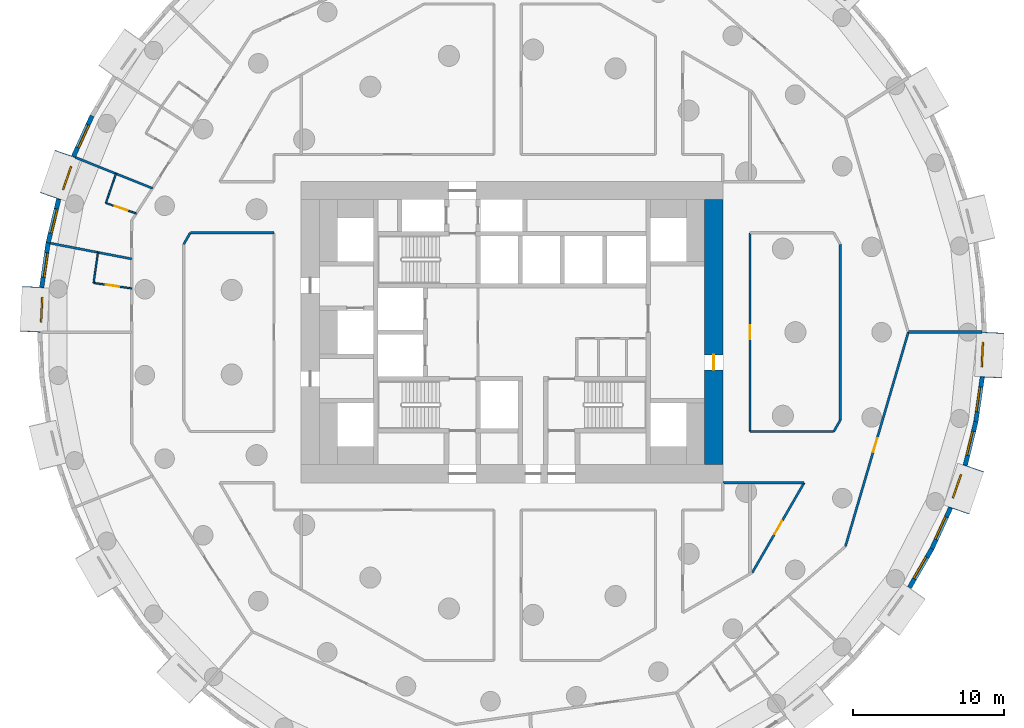
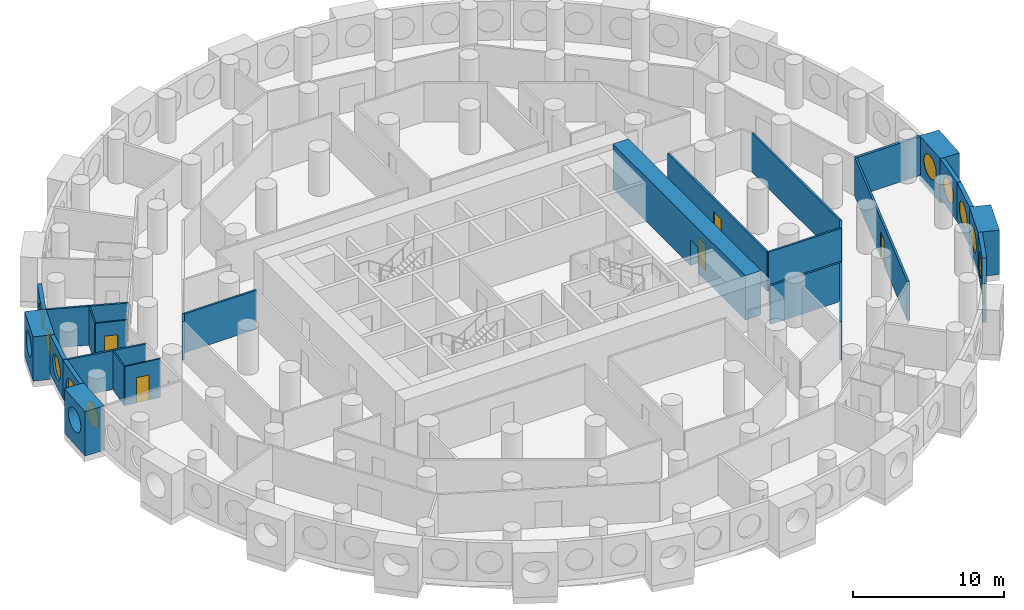
# One storey, part 6 of 11: 28 walls, 11 windows, 6 doors, 17 openings.
"""IFC4 building model written with IfcOpenShell, lengths in metres."""

from ifc_helpers import new_model, si_unit, direction, frame, frame_2d, origin, origin_2d, place, context, subcontext, project, spatial, rectangle, circle, extrude, material, layer, layer_set, type_object, element, fill, save


model = new_model("IFC4")

# Units and contexts
model_context = context("Model", 3, precision=1e-05, world=origin(), true_north=direction((0.0, 1.0)))
body_context = subcontext(model_context, "Body", "Model", "MODEL_VIEW")
ifc_project = project(units=[si_unit("LENGTHUNIT", "METRE"), si_unit("AREAUNIT", "SQUARE_METRE"), si_unit("VOLUMEUNIT", "CUBIC_METRE"), si_unit("PLANEANGLEUNIT", "RADIAN"), si_unit("MASSUNIT", "GRAM", prefix="KILO")], contexts=[model_context])

# Site, building, storey
site_placement = place(None, origin())
site = spatial("IfcSite", under=ifc_project, at=site_placement, CompositionType="ELEMENT")
building_placement = place(site_placement, origin())
building = spatial("IfcBuilding", under=site, at=building_placement, Name="Tracery Tower", CompositionType="ELEMENT")
storey_placement = place(building_placement, frame((0.0, 0.0, 64.199951171875)))
storey = spatial("IfcBuildingStorey", under=building, at=storey_placement, Name="L15", CompositionType="ELEMENT", Elevation=64.199951171875)

# Wall, opening, door
ifc_material_1 = material(Name="Concrete C60/75", Category="concrete")
ifc_layer_1 = layer(ifc_material_1, 1.199951171875)
ifc_layer_set_1 = layer_set([ifc_layer_1], Name="Core wall 1200 C60")
wall_type_1 = type_object("IfcWallType", Name="Core wall 1200 C60", PredefinedType="SOLIDWALL", material=ifc_layer_set_1)
wall_1_placement = place(storey_placement, frame((13.39990234375, -8.800048828125, 0.0), z_axis=(0.0, 0.0, 1.0), x_axis=(0.0, 1.0, 0.0)))
wall_1 = element("IfcWall", 1, at=wall_1_placement, inside=storey, type_object=wall_type_1, Name="L15 outer E", PredefinedType="SOLIDWALL", context=body_context, shape_type="SweptSolid", body=[
    extrude(rectangle(XDim=17.60009765625, YDim=1.199951171875, at=frame_2d((8.800048828125, 0.0))), origin(), (0.0, 0.0, 1.0), 3.60009765625),
])
opening_1_placement = place(wall_1_placement, frame((6.300048828125, 0.0, 0.0)))
opening_1 = element("IfcOpeningElement", 2, at=opening_1_placement, cuts=wall_1, Name="Opening KD18", PredefinedType="OPENING", context=body_context, shape_type="SweptSolid", body=[
    extrude(rectangle(XDim=1.0, YDim=2.10009765625, at=frame_2d((0.5, 1.050048828125))), frame((0.0, 0.60009765625, 0.0), z_axis=(0.0, -1.0, 0.0), x_axis=(1.0, 0.0, 0.0)), (0.0, 0.0, 1.0), 1.199951171875),
])
ifc_material_2 = material(Name="Steel fire door", Category="steel")
door_type_1 = type_object("IfcDoorType", Name="Core exit door 1000", OperationType="NOTDEFINED", PredefinedType="DOOR", material=ifc_material_2)
door_1_placement = place(opening_1_placement, origin())
door_1 = element("IfcDoor", 3, at=door_1_placement, inside=storey, type_object=door_type_1, Name="Core exit door", OperationType="DOUBLE_DOOR_SINGLE_SWING", OverallHeight=2.10009765625, OverallWidth=1.0, PredefinedType="DOOR", context=body_context, shape_type="SweptSolid", body=[
    extrude(rectangle(XDim=1.0, YDim=2.10009765625, at=frame_2d((0.5, 1.050048828125))), frame((0.0, 0.02490234375, 0.0), z_axis=(0.0, -1.0, 0.0), x_axis=(1.0, 0.0, 0.0)), (0.0, 0.0, 1.0), 0.050048828125),
])
fill(opening_1, door_1)

# Wall, opening, window
ifc_material_3 = material(Name="Precast concrete C50/60", Category="concrete")
ifc_layer_2 = layer(ifc_material_3, 1.449951171875)
ifc_layer_set_2 = layer_set([ifc_layer_2], Name="Deep-set bay unit 3000 x 3600, slab edge 450")
wall_type_2 = type_object("IfcWallType", Name="Deep-set bay unit 3000 x 3600, slab edge 450", PredefinedType="ELEMENTEDWALL", material=ifc_layer_set_2)
wall_2_placement = place(storey_placement, frame((-29.66796875, 11.85546875, -0.449951171875), z_axis=(0.0, 0.0, 1.0), x_axis=(-0.327071431777, -0.944999618262, 0.0)))
wall_2 = element("IfcWall", 4, at=wall_2_placement, inside=storey, type_object=wall_type_2, Name="Deep-set bay unit 30 at L15", PredefinedType="ELEMENTEDWALL", context=body_context, shape_type="SweptSolid", body=[
    extrude(rectangle(XDim=3.0, YDim=1.449951171875, at=frame_2d((1.5, 0.0))), origin(), (0.0, 0.0, 1.0), 3.60009765625),
])
opening_2_placement = place(wall_2_placement, frame((1.5, 0.0, 2.0)))
opening_2 = element("IfcOpeningElement", 5, at=opening_2_placement, cuts=wall_2, Name="Opening WN1", PredefinedType="OPENING", context=body_context, shape_type="SweptSolid", body=[
    extrude(circle(Radius=0.9000244140625, at=origin_2d()), frame((0.0, 0.73486328125, 0.0), z_axis=(0.0, -1.0, 0.0), x_axis=(1.0, 0.0, 0.0)), (0.0, 0.0, 1.0), 1.469970703125),
])
ifc_material_4 = material(Name="Aluminium frame with tinted double glazing", Category="aluminium")
window_type = type_object("IfcWindowType", Name="Round window 1800", PartitioningType="SINGLE_PANEL", PredefinedType="WINDOW", material=ifc_material_4)
window_1_placement = place(opening_2_placement, origin())
window_1 = element("IfcWindow", 6, at=window_1_placement, inside=storey, type_object=window_type, Name="Round window 30 at L15", OverallHeight=1.800048828125, OverallWidth=1.800048828125, PartitioningType="SINGLE_PANEL", PredefinedType="WINDOW", context=body_context, shape_type="SweptSolid", body=[
    extrude(circle(Radius=0.9000244140625, at=origin_2d()), frame((0.0, 0.69482421875, 0.0), z_axis=(0.0, -1.0, 0.0), x_axis=(1.0, 0.0, 0.0)), (0.0, 0.0, 1.0), 0.10009765625),
])
fill(opening_2, window_1)

wall_3_placement = place(storey_placement, frame((-31.806396484375, 3.016845703125, -0.449951171875), z_axis=(0.0, 0.0, 1.0), x_axis=(-0.047607680889, -0.998866111509, 0.0)))
wall_3 = element("IfcWall", 7, at=wall_3_placement, inside=storey, type_object=wall_type_2, Name="Deep-set bay unit 33 at L15", PredefinedType="ELEMENTEDWALL", context=body_context, shape_type="SweptSolid", body=[
    extrude(rectangle(XDim=3.0, YDim=1.449951171875, at=frame_2d((1.5, 0.0))), origin(), (0.0, 0.0, 1.0), 3.60009765625),
])
opening_3_placement = place(wall_3_placement, frame((1.5, 0.0, 2.0)))
opening_3 = element("IfcOpeningElement", 8, at=opening_3_placement, cuts=wall_3, Name="Opening WN1", PredefinedType="OPENING", context=body_context, shape_type="SweptSolid", body=[
    extrude(circle(Radius=0.9000244140625, at=origin_2d()), frame((0.0, 0.73486328125, 0.0), z_axis=(0.0, -1.0, 0.0), x_axis=(1.0, 0.0, 0.0)), (0.0, 0.0, 1.0), 1.469970703125),
])
window_2_placement = place(opening_3_placement, origin())
window_2 = element("IfcWindow", 9, at=window_2_placement, inside=storey, type_object=window_type, Name="Round window 33 at L15", OverallHeight=1.800048828125, OverallWidth=1.800048828125, PartitioningType="SINGLE_PANEL", PredefinedType="WINDOW", context=body_context, shape_type="SweptSolid", body=[
    extrude(circle(Radius=0.9000244140625, at=origin_2d()), frame((0.0, 0.69482421875, 0.0), z_axis=(0.0, -1.0, 0.0), x_axis=(1.0, 0.0, 0.0)), (0.0, 0.0, 1.0), 0.10009765625),
])
fill(opening_3, window_2)

wall_4_placement = place(storey_placement, frame((29.66796875, -11.85546875, -0.449951171875), z_axis=(0.0, 0.0, 1.0), x_axis=(0.327071431777, 0.944999618262, 0.0)))
wall_4 = element("IfcWall", 10, at=wall_4_placement, inside=storey, type_object=wall_type_2, Name="Deep-set bay unit 63 at L15", PredefinedType="ELEMENTEDWALL", context=body_context, shape_type="SweptSolid", body=[
    extrude(rectangle(XDim=3.0, YDim=1.449951171875, at=frame_2d((1.5, 0.0))), origin(), (0.0, 0.0, 1.0), 3.60009765625),
])
opening_4_placement = place(wall_4_placement, frame((1.5, 0.0, 2.0)))
opening_4 = element("IfcOpeningElement", 11, at=opening_4_placement, cuts=wall_4, Name="Opening WN1", PredefinedType="OPENING", context=body_context, shape_type="SweptSolid", body=[
    extrude(circle(Radius=0.9000244140625, at=origin_2d()), frame((0.0, 0.73486328125, 0.0), z_axis=(0.0, -1.0, 0.0), x_axis=(1.0, 0.0, 0.0)), (0.0, 0.0, 1.0), 1.469970703125),
])
window_3_placement = place(opening_4_placement, origin())
window_3 = element("IfcWindow", 12, at=window_3_placement, inside=storey, type_object=window_type, Name="Round window 63 at L15", OverallHeight=1.800048828125, OverallWidth=1.800048828125, PartitioningType="SINGLE_PANEL", PredefinedType="WINDOW", context=body_context, shape_type="SweptSolid", body=[
    extrude(circle(Radius=0.9000244140625, at=origin_2d()), frame((0.0, 0.69482421875, 0.0), z_axis=(0.0, -1.0, 0.0), x_axis=(1.0, 0.0, 0.0)), (0.0, 0.0, 1.0), 0.10009765625),
])
fill(opening_4, window_3)

wall_5_placement = place(storey_placement, frame((31.806396484375, -3.016845703125, -0.449951171875), z_axis=(0.0, 0.0, 1.0), x_axis=(0.047607680889, 0.998866111509, 0.0)))
wall_5 = element("IfcWall", 13, at=wall_5_placement, inside=storey, type_object=wall_type_2, Name="Deep-set bay unit 66 at L15", PredefinedType="ELEMENTEDWALL", context=body_context, shape_type="SweptSolid", body=[
    extrude(rectangle(XDim=3.0, YDim=1.449951171875, at=frame_2d((1.5, 0.0))), origin(), (0.0, 0.0, 1.0), 3.60009765625),
])
opening_5_placement = place(wall_5_placement, frame((1.5, 0.0, 2.0)))
opening_5 = element("IfcOpeningElement", 14, at=opening_5_placement, cuts=wall_5, Name="Opening WN1", PredefinedType="OPENING", context=body_context, shape_type="SweptSolid", body=[
    extrude(circle(Radius=0.9000244140625, at=origin_2d()), frame((0.0, 0.73486328125, 0.0), z_axis=(0.0, -1.0, 0.0), x_axis=(1.0, 0.0, 0.0)), (0.0, 0.0, 1.0), 1.469970703125),
])
window_4_placement = place(opening_5_placement, origin())
window_4 = element("IfcWindow", 15, at=window_4_placement, inside=storey, type_object=window_type, Name="Round window 66 at L15", OverallHeight=1.800048828125, OverallWidth=1.800048828125, PartitioningType="SINGLE_PANEL", PredefinedType="WINDOW", context=body_context, shape_type="SweptSolid", body=[
    extrude(circle(Radius=0.9000244140625, at=origin_2d()), frame((0.0, 0.69482421875, 0.0), z_axis=(0.0, -1.0, 0.0), x_axis=(1.0, 0.0, 0.0)), (0.0, 0.0, 1.0), 0.10009765625),
])
fill(opening_5, window_4)

ifc_material_5 = material(Name="Precast concrete C50/60", Category="concrete")
ifc_layer_3 = layer(ifc_material_5, 0.300048828125)
ifc_layer_set_3 = layer_set([ifc_layer_3], Name="Facade panel 3000 x 3150")
wall_type_3 = type_object("IfcWallType", Name="Facade panel 3000 x 3150", PredefinedType="SOLIDWALL", material=ifc_layer_set_3)
wall_6_placement = place(storey_placement, frame((-27.88671875, 14.376708984375, 0.0), z_axis=(0.0, 0.0, 1.0), x_axis=(-0.415407317162, -0.909635509888, 0.0)))
wall_6 = element("IfcWall", 16, at=wall_6_placement, inside=storey, type_object=wall_type_3, Name="Facade panel 29 at L15", PredefinedType="SOLIDWALL", context=body_context, shape_type="SweptSolid", body=[
    extrude(rectangle(XDim=2.979736328125, YDim=0.300048828125, at=frame_2d((1.48974609375, 0.0))), origin(), (0.0, 0.0, 1.0), 3.150146484375),
])
opening_6_placement = place(wall_6_placement, frame((1.48974609375, 0.0, 1.5498046875)))
opening_6 = element("IfcOpeningElement", 17, at=opening_6_placement, cuts=wall_6, Name="Opening WN1", PredefinedType="OPENING", context=body_context, shape_type="SweptSolid", body=[
    extrude(circle(Radius=0.9000244140625, at=origin_2d()), frame((0.0, 0.159912109375, 0.0), z_axis=(0.0, -1.0, 0.0), x_axis=(1.0, 0.0, 0.0)), (0.0, 0.0, 1.0), 0.320068359375),
])
window_5_placement = place(opening_6_placement, origin())
window_5 = element("IfcWindow", 18, at=window_5_placement, inside=storey, type_object=window_type, Name="Round window 29 at L15", OverallHeight=1.800048828125, OverallWidth=1.800048828125, PartitioningType="SINGLE_PANEL", PredefinedType="WINDOW", context=body_context, shape_type="SweptSolid", body=[
    extrude(circle(Radius=0.9000244140625, at=origin_2d()), frame((0.0, 0.1201171875, 0.0), z_axis=(0.0, -1.0, 0.0), x_axis=(1.0, 0.0, 0.0)), (0.0, 0.0, 1.0), 0.10009765625),
])
fill(opening_6, window_5)

wall_7_placement = place(storey_placement, frame((-30.10498046875, 8.833251953125, 0.0), z_axis=(0.0, 0.0, 1.0), x_axis=(-0.235743081534, -0.971815414319, 0.0)))
wall_7 = element("IfcWall", 19, at=wall_7_placement, inside=storey, type_object=wall_type_3, Name="Facade panel 31 at L15", PredefinedType="SOLIDWALL", context=body_context, shape_type="SweptSolid", body=[
    extrude(rectangle(XDim=2.9794921875, YDim=0.300048828125, at=frame_2d((1.48974609375, 0.0))), origin(), (0.0, 0.0, 1.0), 3.150146484375),
])
opening_7_placement = place(wall_7_placement, frame((1.48974609375, 0.0, 1.5498046875)))
opening_7 = element("IfcOpeningElement", 20, at=opening_7_placement, cuts=wall_7, Name="Opening WN1", PredefinedType="OPENING", context=body_context, shape_type="SweptSolid", body=[
    extrude(circle(Radius=0.9000244140625, at=origin_2d()), frame((0.0, 0.159912109375, 0.0), z_axis=(0.0, -1.0, 0.0), x_axis=(1.0, 0.0, 0.0)), (0.0, 0.0, 1.0), 0.320068359375),
])
window_6_placement = place(opening_7_placement, origin())
window_6 = element("IfcWindow", 21, at=window_6_placement, inside=storey, type_object=window_type, Name="Round window 31 at L15", OverallHeight=1.800048828125, OverallWidth=1.800048828125, PartitioningType="SINGLE_PANEL", PredefinedType="WINDOW", context=body_context, shape_type="SweptSolid", body=[
    extrude(circle(Radius=0.9000244140625, at=origin_2d()), frame((0.0, 0.1201171875, 0.0), z_axis=(0.0, -1.0, 0.0), x_axis=(1.0, 0.0, 0.0)), (0.0, 0.0, 1.0), 0.10009765625),
])
fill(opening_7, window_6)

wall_8_placement = place(storey_placement, frame((-30.807373046875, 5.937744140625, 0.0), z_axis=(0.0, 0.0, 1.0), x_axis=(-0.142315996627, -0.989821275334, 0.0)))
wall_8 = element("IfcWall", 22, at=wall_8_placement, inside=storey, type_object=wall_type_3, Name="Facade panel 32 at L15", PredefinedType="SOLIDWALL", context=body_context, shape_type="SweptSolid", body=[
    extrude(rectangle(XDim=2.979736328125, YDim=0.300048828125, at=frame_2d((1.48974609375, 0.0))), origin(), (0.0, 0.0, 1.0), 3.150146484375),
])
opening_8_placement = place(wall_8_placement, frame((1.48974609375, 0.0, 1.5498046875)))
opening_8 = element("IfcOpeningElement", 23, at=opening_8_placement, cuts=wall_8, Name="Opening WN1", PredefinedType="OPENING", context=body_context, shape_type="SweptSolid", body=[
    extrude(circle(Radius=0.9000244140625, at=origin_2d()), frame((0.0, 0.159912109375, 0.0), z_axis=(0.0, -1.0, 0.0), x_axis=(1.0, 0.0, 0.0)), (0.0, 0.0, 1.0), 0.320068359375),
])
window_7_placement = place(opening_8_placement, origin())
window_7 = element("IfcWindow", 24, at=window_7_placement, inside=storey, type_object=window_type, Name="Round window 32 at L15", OverallHeight=1.800048828125, OverallWidth=1.800048828125, PartitioningType="SINGLE_PANEL", PredefinedType="WINDOW", context=body_context, shape_type="SweptSolid", body=[
    extrude(circle(Radius=0.9000244140625, at=origin_2d()), frame((0.0, 0.1201171875, 0.0), z_axis=(0.0, -1.0, 0.0), x_axis=(1.0, 0.0, 0.0)), (0.0, 0.0, 1.0), 0.10009765625),
])
fill(opening_8, window_7)

wall_9_placement = place(storey_placement, frame((26.39697265625, -16.95703125, 0.0), z_axis=(0.0, 0.0, 1.0), x_axis=(0.499999078476, 0.866025935826, 0.0)))
wall_9 = element("IfcWall", 25, at=wall_9_placement, inside=storey, type_object=wall_type_3, Name="Facade panel 61 at L15", PredefinedType="SOLIDWALL", context=body_context, shape_type="SweptSolid", body=[
    extrude(rectangle(XDim=2.9794921875, YDim=0.300048828125, at=frame_2d((1.48974609375, 0.0))), origin(), (0.0, 0.0, 1.0), 3.150146484375),
])
opening_9_placement = place(wall_9_placement, frame((1.48974609375, 0.0, 1.5498046875)))
opening_9 = element("IfcOpeningElement", 26, at=opening_9_placement, cuts=wall_9, Name="Opening WN1", PredefinedType="OPENING", context=body_context, shape_type="SweptSolid", body=[
    extrude(circle(Radius=0.9000244140625, at=origin_2d()), frame((0.0, 0.159912109375, 0.0), z_axis=(0.0, -1.0, 0.0), x_axis=(1.0, 0.0, 0.0)), (0.0, 0.0, 1.0), 0.320068359375),
])
window_8_placement = place(opening_9_placement, origin())
window_8 = element("IfcWindow", 27, at=window_8_placement, inside=storey, type_object=window_type, Name="Round window 61 at L15", OverallHeight=1.800048828125, OverallWidth=1.800048828125, PartitioningType="SINGLE_PANEL", PredefinedType="WINDOW", context=body_context, shape_type="SweptSolid", body=[
    extrude(circle(Radius=0.9000244140625, at=origin_2d()), frame((0.0, 0.1201171875, 0.0), z_axis=(0.0, -1.0, 0.0), x_axis=(1.0, 0.0, 0.0)), (0.0, 0.0, 1.0), 0.10009765625),
])
fill(opening_9, window_8)

wall_10_placement = place(storey_placement, frame((27.88671875, -14.376708984375, 0.0), z_axis=(0.0, 0.0, 1.0), x_axis=(0.415407317162, 0.909635509888, 0.0)))
wall_10 = element("IfcWall", 28, at=wall_10_placement, inside=storey, type_object=wall_type_3, Name="Facade panel 62 at L15", PredefinedType="SOLIDWALL", context=body_context, shape_type="SweptSolid", body=[
    extrude(rectangle(XDim=2.979736328125, YDim=0.300048828125, at=frame_2d((1.48974609375, 0.0))), origin(), (0.0, 0.0, 1.0), 3.150146484375),
])
opening_10_placement = place(wall_10_placement, frame((1.48974609375, 0.0, 1.5498046875)))
opening_10 = element("IfcOpeningElement", 29, at=opening_10_placement, cuts=wall_10, Name="Opening WN1", PredefinedType="OPENING", context=body_context, shape_type="SweptSolid", body=[
    extrude(circle(Radius=0.9000244140625, at=origin_2d()), frame((0.0, 0.159912109375, 0.0), z_axis=(0.0, -1.0, 0.0), x_axis=(1.0, 0.0, 0.0)), (0.0, 0.0, 1.0), 0.320068359375),
])
window_9_placement = place(opening_10_placement, origin())
window_9 = element("IfcWindow", 30, at=window_9_placement, inside=storey, type_object=window_type, Name="Round window 62 at L15", OverallHeight=1.800048828125, OverallWidth=1.800048828125, PartitioningType="SINGLE_PANEL", PredefinedType="WINDOW", context=body_context, shape_type="SweptSolid", body=[
    extrude(circle(Radius=0.9000244140625, at=origin_2d()), frame((0.0, 0.1201171875, 0.0), z_axis=(0.0, -1.0, 0.0), x_axis=(1.0, 0.0, 0.0)), (0.0, 0.0, 1.0), 0.10009765625),
])
fill(opening_10, window_9)

wall_11_placement = place(storey_placement, frame((30.10498046875, -8.833251953125, 0.0), z_axis=(0.0, 0.0, 1.0), x_axis=(0.235743081534, 0.971815414319, 0.0)))
wall_11 = element("IfcWall", 31, at=wall_11_placement, inside=storey, type_object=wall_type_3, Name="Facade panel 64 at L15", PredefinedType="SOLIDWALL", context=body_context, shape_type="SweptSolid", body=[
    extrude(rectangle(XDim=2.9794921875, YDim=0.300048828125, at=frame_2d((1.48974609375, 0.0))), origin(), (0.0, 0.0, 1.0), 3.150146484375),
])
opening_11_placement = place(wall_11_placement, frame((1.48974609375, 0.0, 1.5498046875)))
opening_11 = element("IfcOpeningElement", 32, at=opening_11_placement, cuts=wall_11, Name="Opening WN1", PredefinedType="OPENING", context=body_context, shape_type="SweptSolid", body=[
    extrude(circle(Radius=0.9000244140625, at=origin_2d()), frame((0.0, 0.159912109375, 0.0), z_axis=(0.0, -1.0, 0.0), x_axis=(1.0, 0.0, 0.0)), (0.0, 0.0, 1.0), 0.320068359375),
])
window_10_placement = place(opening_11_placement, origin())
window_10 = element("IfcWindow", 33, at=window_10_placement, inside=storey, type_object=window_type, Name="Round window 64 at L15", OverallHeight=1.800048828125, OverallWidth=1.800048828125, PartitioningType="SINGLE_PANEL", PredefinedType="WINDOW", context=body_context, shape_type="SweptSolid", body=[
    extrude(circle(Radius=0.9000244140625, at=origin_2d()), frame((0.0, 0.1201171875, 0.0), z_axis=(0.0, -1.0, 0.0), x_axis=(1.0, 0.0, 0.0)), (0.0, 0.0, 1.0), 0.10009765625),
])
fill(opening_11, window_10)

wall_12_placement = place(storey_placement, frame((30.807373046875, -5.937744140625, 0.0), z_axis=(0.0, 0.0, 1.0), x_axis=(0.142315996627, 0.989821275334, 0.0)))
wall_12 = element("IfcWall", 34, at=wall_12_placement, inside=storey, type_object=wall_type_3, Name="Facade panel 65 at L15", PredefinedType="SOLIDWALL", context=body_context, shape_type="SweptSolid", body=[
    extrude(rectangle(XDim=2.979736328125, YDim=0.300048828125, at=frame_2d((1.48974609375, 0.0))), origin(), (0.0, 0.0, 1.0), 3.150146484375),
])
opening_12_placement = place(wall_12_placement, frame((1.48974609375, 0.0, 1.5498046875)))
opening_12 = element("IfcOpeningElement", 35, at=opening_12_placement, cuts=wall_12, Name="Opening WN1", PredefinedType="OPENING", context=body_context, shape_type="SweptSolid", body=[
    extrude(circle(Radius=0.9000244140625, at=origin_2d()), frame((0.0, 0.159912109375, 0.0), z_axis=(0.0, -1.0, 0.0), x_axis=(1.0, 0.0, 0.0)), (0.0, 0.0, 1.0), 0.320068359375),
])
window_11_placement = place(opening_12_placement, origin())
window_11 = element("IfcWindow", 36, at=window_11_placement, inside=storey, type_object=window_type, Name="Round window 65 at L15", OverallHeight=1.800048828125, OverallWidth=1.800048828125, PartitioningType="SINGLE_PANEL", PredefinedType="WINDOW", context=body_context, shape_type="SweptSolid", body=[
    extrude(circle(Radius=0.9000244140625, at=origin_2d()), frame((0.0, 0.1201171875, 0.0), z_axis=(0.0, -1.0, 0.0), x_axis=(1.0, 0.0, 0.0)), (0.0, 0.0, 1.0), 0.10009765625),
])
fill(opening_12, window_11)

# Wall
ifc_material_6 = material(Name="Plasterboard on steel studs", Category="steel")
ifc_layer_4 = layer(ifc_material_6, 0.10009765625)
ifc_layer_set_4 = layer_set([ifc_layer_4], Name="Partition 100 wet wall")
wall_type_4 = type_object("IfcWallType", Name="Partition 100 wet wall", PredefinedType="PARTITIONING", material=ifc_layer_set_4)
wall_13_placement = place(storey_placement, frame((-26.968994140625, 8.577880859375, 0.0), z_axis=(0.0, 0.0, 1.0), x_axis=(0.326825955114, 0.945084543871, 0.0)))
element("IfcWall", 37, at=wall_13_placement, inside=storey, type_object=wall_type_4, Name="Wet wall RA4-077", PredefinedType="PARTITIONING", context=body_context, shape_type="SweptSolid", body=[
    extrude(rectangle(XDim=2.0625, YDim=0.10009765625, at=frame_2d((1.03125, 0.0))), origin(), (0.0, 0.0, 1.0), 3.150146484375),
])

# Wall, opening, door
wall_14_placement = place(storey_placement, frame((-26.968994140625, 8.577880859375, 0.0), z_axis=(0.0, 0.0, 1.0), x_axis=(0.945146525342, -0.326646667877, 0.0)))
wall_14 = element("IfcWall", 38, at=wall_14_placement, inside=storey, type_object=wall_type_4, Name="Wet wall RA4-078", PredefinedType="PARTITIONING", context=body_context, shape_type="SweptSolid", body=[
    extrude(rectangle(XDim=2.133056640625, YDim=0.10009765625, at=frame_2d((1.06640625, 0.0))), origin(), (0.0, 0.0, 1.0), 3.150146484375),
])
opening_13_placement = place(wall_14_placement, frame((0.616943359375, 0.0, 0.0)))
opening_13 = element("IfcOpeningElement", 39, at=opening_13_placement, cuts=wall_14, Name="Opening RA4-22", PredefinedType="OPENING", context=body_context, shape_type="SweptSolid", body=[
    extrude(rectangle(XDim=0.89990234375, YDim=2.0400390625, at=frame_2d((0.449951171875, 1.02001953125))), frame((0.0, 0.050048828125, 0.0), z_axis=(0.0, -1.0, 0.0), x_axis=(1.0, 0.0, 0.0)), (0.0, 0.0, 1.0), 0.10009765625),
])
ifc_material_7 = material(Name="Timber door leaf", Category="wood")
door_type_2 = type_object("IfcDoorType", Name="Door en-suite 900", OperationType="NOTDEFINED", PredefinedType="DOOR", material=ifc_material_7)
door_2_placement = place(opening_13_placement, origin())
door_2 = element("IfcDoor", 40, at=door_2_placement, inside=storey, type_object=door_type_2, Name="En-suite door RA4-22", OperationType="SINGLE_SWING_RIGHT", OverallHeight=2.0400390625, OverallWidth=0.89990234375, PredefinedType="DOOR", context=body_context, shape_type="SweptSolid", body=[
    extrude(rectangle(XDim=0.89990234375, YDim=2.0400390625, at=frame_2d((0.449951171875, 1.02001953125))), frame((0.0, 0.02490234375, 0.0), z_axis=(0.0, -1.0, 0.0), x_axis=(1.0, 0.0, 0.0)), (0.0, 0.0, 1.0), 0.050048828125),
])
fill(opening_13, door_2)

# Wall
wall_15_placement = place(storey_placement, frame((-27.784912109375, 3.27294921875, 0.0), z_axis=(0.0, 0.0, 1.0), x_axis=(0.142640130423, 0.989774617372, 0.0)))
element("IfcWall", 41, at=wall_15_placement, inside=storey, type_object=wall_type_4, Name="Wet wall RA4-080", PredefinedType="PARTITIONING", context=body_context, shape_type="SweptSolid", body=[
    extrude(rectangle(XDim=2.047119140625, YDim=0.10009765625, at=frame_2d((1.0234375, 0.0))), origin(), (0.0, 0.0, 1.0), 3.150146484375),
])

# Wall, opening, door
wall_16_placement = place(storey_placement, frame((-27.784912109375, 3.27294921875, 0.0), z_axis=(0.0, 0.0, 1.0), x_axis=(0.989823118164, -0.142303178978, 0.0)))
wall_16 = element("IfcWall", 42, at=wall_16_placement, inside=storey, type_object=wall_type_4, Name="Wet wall RA4-081", PredefinedType="PARTITIONING", context=body_context, shape_type="SweptSolid", body=[
    extrude(rectangle(XDim=2.55810546875, YDim=0.10009765625, at=frame_2d((1.279052734375, 0.0))), origin(), (0.0, 0.0, 1.0), 3.150146484375),
])
opening_14_placement = place(wall_16_placement, frame((0.8291015625, 0.0, 0.0)))
opening_14 = element("IfcOpeningElement", 43, at=opening_14_placement, cuts=wall_16, Name="Opening RA4-24", PredefinedType="OPENING", context=body_context, shape_type="SweptSolid", body=[
    extrude(rectangle(XDim=0.89990234375, YDim=2.0400390625, at=frame_2d((0.449951171875, 1.02001953125))), frame((0.0, 0.050048828125, 0.0), z_axis=(0.0, -1.0, 0.0), x_axis=(1.0, 0.0, 0.0)), (0.0, 0.0, 1.0), 0.10009765625),
])
door_3_placement = place(opening_14_placement, origin())
door_3 = element("IfcDoor", 44, at=door_3_placement, inside=storey, type_object=door_type_2, Name="En-suite door RA4-24", OperationType="SINGLE_SWING_LEFT", OverallHeight=2.0400390625, OverallWidth=0.89990234375, PredefinedType="DOOR", context=body_context, shape_type="SweptSolid", body=[
    extrude(rectangle(XDim=0.89990234375, YDim=2.0400390625, at=frame_2d((0.449951171875, 1.02001953125))), frame((0.0, 0.02490234375, 0.0), z_axis=(0.0, -1.0, 0.0), x_axis=(1.0, 0.0, 0.0)), (0.0, 0.0, 1.0), 0.050048828125),
])
fill(opening_14, door_3)

# Walls
ifc_material_8 = material(Name="Plasterboard on steel studs", Category="steel")
ifc_layer_5 = layer(ifc_material_8, 0.14990234375)
ifc_layer_set_5 = layer_set([ifc_layer_5], Name="Partition 150 acoustic unit wall")
wall_type_5 = type_object("IfcWallType", Name="Partition 150 acoustic unit wall", PredefinedType="PARTITIONING", material=ifc_layer_set_5)
wall_17_placement = place(storey_placement, frame((-28.988037109375, 11.60498046875, 0.0), z_axis=(0.0, 0.0, 1.0), x_axis=(0.928335994683, -0.371742223828, 0.0)))
element("IfcWall", 45, at=wall_17_placement, inside=storey, type_object=wall_type_5, Name="Unit wall RA4-076", PredefinedType="PARTITIONING", context=body_context, shape_type="SweptSolid", body=[
    extrude(rectangle(XDim=5.507568359375, YDim=0.14990234375, at=frame_2d((2.75390625, 0.0))), origin(), (0.0, 0.0, 1.0), 3.150146484375),
])
wall_18_placement = place(storey_placement, frame((-30.659912109375, 5.908935546875, 0.0), z_axis=(0.0, 0.0, 1.0), x_axis=(0.981940925451, -0.189187787461, 0.0)))
element("IfcWall", 46, at=wall_18_placement, inside=storey, type_object=wall_type_5, Name="Unit wall RA4-079", PredefinedType="PARTITIONING", context=body_context, shape_type="SweptSolid", body=[
    extrude(rectangle(XDim=5.50634765625, YDim=0.14990234375, at=frame_2d((2.753173828125, 0.0))), origin(), (0.0, 0.0, 1.0), 3.150146484375),
])
ifc_material_9 = material(Name="Plasterboard on steel studs", Category="steel")
ifc_layer_6 = layer(ifc_material_9, 0.14990234375)
ifc_layer_set_6 = layer_set([ifc_layer_6], Name="Partition 150 corridor wall")
wall_type_6 = type_object("IfcWallType", Name="Partition 150 corridor wall", PredefinedType="PARTITIONING", material=ifc_layer_set_6)
wall_19_placement = place(storey_placement, frame((14.0, -10.0, 0.0), z_axis=(0.0, 0.0, 1.0), x_axis=(1.0, 0.0, 0.0)))
element("IfcWall", 47, at=wall_19_placement, inside=storey, type_object=wall_type_6, Name="Corridor wall RA4-012", PredefinedType="PARTITIONING", context=body_context, shape_type="SweptSolid", body=[
    extrude(rectangle(XDim=5.40087890625, YDim=0.14990234375, at=frame_2d((2.700439453125, 0.0))), origin(), (0.0, 0.0, 1.0), 3.150146484375),
])

# Wall, opening, door
wall_20_placement = place(storey_placement, frame((15.800048828125, -6.60400390625, 0.0), z_axis=(0.0, 0.0, 1.0), x_axis=(0.0, 1.0, 0.0)))
wall_20 = element("IfcWall", 48, at=wall_20_placement, inside=storey, type_object=wall_type_6, Name="Corridor wall RA4-013", PredefinedType="PARTITIONING", context=body_context, shape_type="SweptSolid", body=[
    extrude(rectangle(XDim=13.2080078125, YDim=0.14990234375, at=frame_2d((6.60400390625, 0.0))), origin(), (0.0, 0.0, 1.0), 3.150146484375),
])
opening_15_placement = place(wall_20_placement, frame((6.12890625, 0.0, 0.0)))
opening_15 = element("IfcOpeningElement", 49, at=opening_15_placement, cuts=wall_20, Name="Opening RA4-07", PredefinedType="OPENING", context=body_context, shape_type="SweptSolid", body=[
    extrude(rectangle(XDim=0.949951171875, YDim=2.10009765625, at=frame_2d((0.47509765625, 1.050048828125))), frame((0.0, 0.074951171875, 0.0), z_axis=(0.0, -1.0, 0.0), x_axis=(1.0, 0.0, 0.0)), (0.0, 0.0, 1.0), 0.14990234375),
])
ifc_material_10 = material(Name="Timber door leaf", Category="wood")
door_type_3 = type_object("IfcDoorType", Name="Door store 950", OperationType="NOTDEFINED", PredefinedType="DOOR", material=ifc_material_10)
door_4_placement = place(opening_15_placement, origin())
door_4 = element("IfcDoor", 50, at=door_4_placement, inside=storey, type_object=door_type_3, Name="Store door RA4-07", OperationType="SINGLE_SWING_LEFT", OverallHeight=2.10009765625, OverallWidth=0.949951171875, PredefinedType="DOOR", context=body_context, shape_type="SweptSolid", body=[
    extrude(rectangle(XDim=0.949951171875, YDim=2.10009765625, at=frame_2d((0.47509765625, 1.050048828125))), frame((0.0, 0.02490234375, 0.0), z_axis=(0.0, -1.0, 0.0), x_axis=(1.0, 0.0, 0.0)), (0.0, 0.0, 1.0), 0.050048828125),
])
fill(opening_15, door_4)

# Walls
wall_21_placement = place(storey_placement, frame((15.800048828125, -6.60009765625, 0.0), z_axis=(0.0, 0.0, 1.0), x_axis=(1.0, 0.0, 0.0)))
element("IfcWall", 51, at=wall_21_placement, inside=storey, type_object=wall_type_6, Name="Corridor wall RA4-015", PredefinedType="PARTITIONING", context=body_context, shape_type="SweptSolid", body=[
    extrude(rectangle(XDim=5.56396484375, YDim=0.14990234375, at=frame_2d((2.781982421875, 0.0))), origin(), (0.0, 0.0, 1.0), 3.150146484375),
])
wall_22_placement = place(storey_placement, frame((21.364013671875, -6.60009765625, 0.0), z_axis=(0.0, 0.0, 1.0), x_axis=(0.500277597875, 0.865865073245, 0.0)))
element("IfcWall", 52, at=wall_22_placement, inside=storey, type_object=wall_type_6, Name="Corridor wall RA4-016", PredefinedType="PARTITIONING", context=body_context, shape_type="SweptSolid", body=[
    extrude(rectangle(XDim=0.87548828125, YDim=0.14990234375, at=frame_2d((0.437744140625, 0.0))), origin(), (0.0, 0.0, 1.0), 3.150146484375),
])
wall_23_placement = place(storey_placement, frame((21.802001953125, -5.842041015625, 0.0), z_axis=(0.0, 0.0, 1.0), x_axis=(0.0, 1.0, 0.0)))
element("IfcWall", 53, at=wall_23_placement, inside=storey, type_object=wall_type_6, Name="Corridor wall RA4-017", PredefinedType="PARTITIONING", context=body_context, shape_type="SweptSolid", body=[
    extrude(rectangle(XDim=11.68408203125, YDim=0.14990234375, at=frame_2d((5.842041015625, 0.0))), origin(), (0.0, 0.0, 1.0), 3.150146484375),
])

# Wall, opening, door
wall_24_placement = place(storey_placement, frame((15.9599609375, -15.9599609375, 0.0), z_axis=(0.0, 0.0, 1.0), x_axis=(0.499992689227, 0.86602962462, 0.0)))
wall_24 = element("IfcWall", 54, at=wall_24_placement, inside=storey, type_object=wall_type_6, Name="Corridor wall RA4-021", PredefinedType="PARTITIONING", context=body_context, shape_type="SweptSolid", body=[
    extrude(rectangle(XDim=6.8818359375, YDim=0.14990234375, at=frame_2d((3.44091796875, 0.0))), origin(), (0.0, 0.0, 1.0), 3.150146484375),
])
opening_16_placement = place(wall_24_placement, frame((2.94091796875, 0.0, 0.0)))
opening_16 = element("IfcOpeningElement", 55, at=opening_16_placement, cuts=wall_24, Name="Opening RA4-10", PredefinedType="OPENING", context=body_context, shape_type="SweptSolid", body=[
    extrude(rectangle(XDim=1.0, YDim=2.0400390625, at=frame_2d((0.5, 1.02001953125))), frame((0.0, 0.074951171875, 0.0), z_axis=(0.0, -1.0, 0.0), x_axis=(1.0, 0.0, 0.0)), (0.0, 0.0, 1.0), 0.14990234375),
])
ifc_material_11 = material(Name="Timber door leaf", Category="wood")
door_type_4 = type_object("IfcDoorType", Name="Door communal room 1000", OperationType="NOTDEFINED", PredefinedType="DOOR", material=ifc_material_11)
door_5_placement = place(opening_16_placement, origin())
door_5 = element("IfcDoor", 56, at=door_5_placement, inside=storey, type_object=door_type_4, Name="Communal room door RA4-10", OperationType="SINGLE_SWING_LEFT", OverallHeight=2.0400390625, OverallWidth=1.0, PredefinedType="DOOR", context=body_context, shape_type="SweptSolid", body=[
    extrude(rectangle(XDim=1.0, YDim=2.0400390625, at=frame_2d((0.5, 1.02001953125))), frame((0.0, 0.02490234375, 0.0), z_axis=(0.0, -1.0, 0.0), x_axis=(1.0, 0.0, 0.0)), (0.0, 0.0, 1.0), 0.050048828125),
])
fill(opening_16, door_5)

wall_25_placement = place(storey_placement, frame((22.14111328125, -14.22900390625, 0.0), z_axis=(0.0, 0.0, 1.0), x_axis=(0.281730446162, 0.959493593363, 0.0)))
wall_25 = element("IfcWall", 57, at=wall_25_placement, inside=storey, type_object=wall_type_6, Name="Corridor wall RA4-025", PredefinedType="PARTITIONING", context=body_context, shape_type="SweptSolid", body=[
    extrude(rectangle(XDim=14.82958984375, YDim=0.14990234375, at=frame_2d((7.414794921875, 0.0))), origin(), (0.0, 0.0, 1.0), 3.150146484375),
])
opening_17_placement = place(wall_25_placement, frame((6.539794921875, 0.0, 0.0)))
opening_17 = element("IfcOpeningElement", 58, at=opening_17_placement, cuts=wall_25, Name="Opening RA4-34", PredefinedType="OPENING", context=body_context, shape_type="SweptSolid", body=[
    extrude(rectangle(XDim=0.949951171875, YDim=2.10009765625, at=frame_2d((0.47509765625, 1.050048828125))), frame((0.0, 0.074951171875, 0.0), z_axis=(0.0, -1.0, 0.0), x_axis=(1.0, 0.0, 0.0)), (0.0, 0.0, 1.0), 0.14990234375),
])
door_6_placement = place(opening_17_placement, origin())
door_6 = element("IfcDoor", 59, at=door_6_placement, inside=storey, type_object=door_type_3, Name="Store door RA4-34", OperationType="SINGLE_SWING_RIGHT", OverallHeight=2.10009765625, OverallWidth=0.949951171875, PredefinedType="DOOR", context=body_context, shape_type="SweptSolid", body=[
    extrude(rectangle(XDim=0.949951171875, YDim=2.10009765625, at=frame_2d((0.47509765625, 1.050048828125))), frame((0.0, 0.02490234375, 0.0), z_axis=(0.0, -1.0, 0.0), x_axis=(1.0, 0.0, 0.0)), (0.0, 0.0, 1.0), 0.050048828125),
])
fill(opening_17, door_6)

# Walls
wall_26_placement = place(storey_placement, frame((-21.364013671875, 6.60009765625, 0.0), z_axis=(0.0, 0.0, 1.0), x_axis=(1.0, 0.0, 0.0)))
element("IfcWall", 60, at=wall_26_placement, inside=storey, type_object=wall_type_6, Name="Corridor wall RA4-038", PredefinedType="PARTITIONING", context=body_context, shape_type="SweptSolid", body=[
    extrude(rectangle(XDim=5.56396484375, YDim=0.14990234375, at=frame_2d((2.781982421875, 0.0))), origin(), (0.0, 0.0, 1.0), 3.150146484375),
])
wall_27_placement = place(storey_placement, frame((-21.802001953125, 5.842041015625, 0.0), z_axis=(0.0, 0.0, 1.0), x_axis=(0.500277597875, 0.865865073245, 0.0)))
element("IfcWall", 61, at=wall_27_placement, inside=storey, type_object=wall_type_6, Name="Corridor wall RA4-039", PredefinedType="PARTITIONING", context=body_context, shape_type="SweptSolid", body=[
    extrude(rectangle(XDim=0.87548828125, YDim=0.14990234375, at=frame_2d((0.437744140625, 0.0))), origin(), (0.0, 0.0, 1.0), 3.150146484375),
])
ifc_material_12 = material(Name="Plasterboard on steel studs", Category="steel")
ifc_layer_7 = layer(ifc_material_12, 0.199951171875)
ifc_layer_set_7 = layer_set([ifc_layer_7], Name="Partition 200 compartment wall")
wall_type_7 = type_object("IfcWallType", Name="Partition 200 compartment wall", PredefinedType="PARTITIONING", material=ifc_layer_set_7)
wall_28_placement = place(storey_placement, frame((26.319091796875, 0.0, 0.0), z_axis=(0.0, 0.0, 1.0), x_axis=(1.0, 0.0, 0.0)))
element("IfcWall", 62, at=wall_28_placement, inside=storey, type_object=wall_type_7, Name="Compartment wall RA4-066", PredefinedType="PARTITIONING", context=body_context, shape_type="SweptSolid", body=[
    extrude(rectangle(XDim=4.905029296875, YDim=0.199951171875, at=frame_2d((2.45263671875, 0.0))), origin(), (0.0, 0.0, 1.0), 3.150146484375),
])

save(model, "model.ifc")
